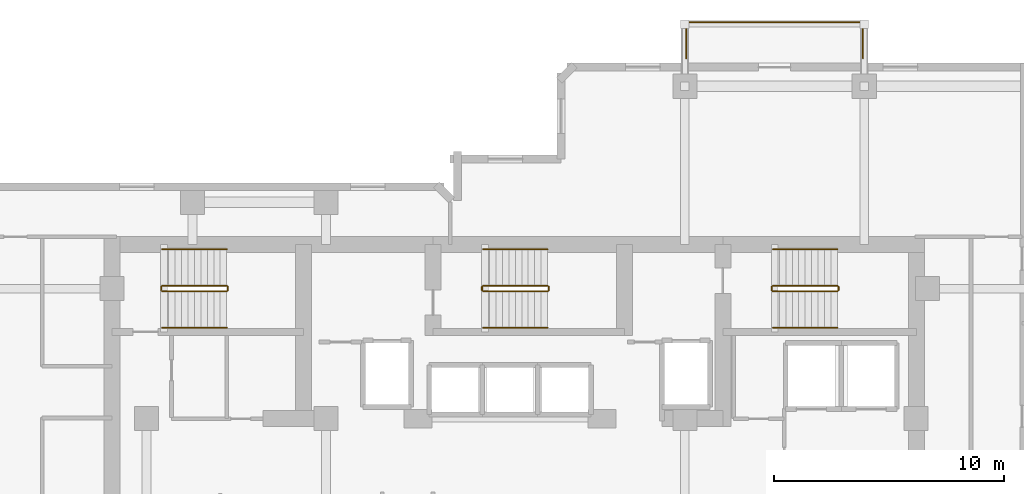
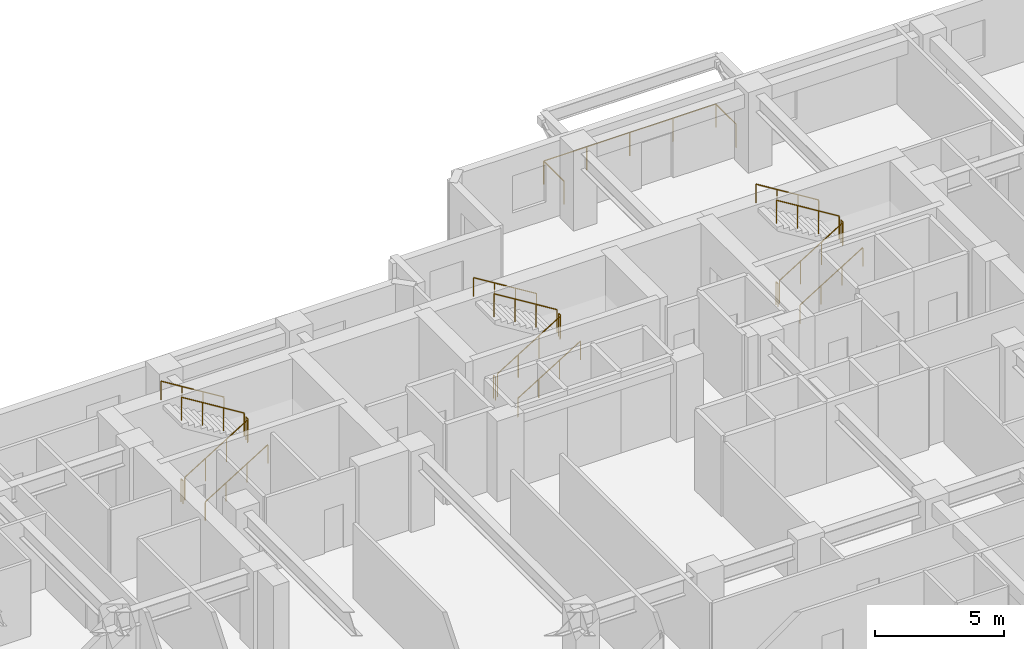
# One storey, part 10 of 10: 19 railings.
"""IFC4 building model written with IfcOpenShell, lengths in metres."""

from ifc_helpers import new_model, si_unit, direction, frame, origin, origin_2d, place, context, subcontext, project, spatial, circle, extrude, material, type_object, element, save


model = new_model("IFC4")

# Units and contexts
model_context = context("Model", 3, precision=1e-05, world=origin(), true_north=direction((0.0, 1.0)))
body_context = subcontext(model_context, "Body", "Model", "MODEL_VIEW")
ifc_project = project(units=[si_unit("LENGTHUNIT", "METRE"), si_unit("AREAUNIT", "SQUARE_METRE"), si_unit("VOLUMEUNIT", "CUBIC_METRE"), si_unit("PLANEANGLEUNIT", "RADIAN"), si_unit("MASSUNIT", "GRAM", prefix="KILO")], contexts=[model_context])

# Site, building, storey
site_placement = place(None, origin())
site = spatial("IfcSite", under=ifc_project, at=site_placement, CompositionType="ELEMENT")
building_placement = place(site_placement, origin())
building = spatial("IfcBuilding", under=site, at=building_placement, Name="Kestravale Grand Hotel", CompositionType="ELEMENT")
storey_placement = place(building_placement, frame((0.0, 0.0, 149.800048828125)))
storey = spatial("IfcBuildingStorey", under=building, at=storey_placement, Name="L37", CompositionType="ELEMENT", Elevation=149.800048828125)

# Railings
ifc_material_1 = material(Name="Champagne-bronze stainless steel and laminated glass guard", Category="steel")
railing_type_1 = type_object("IfcRailingType", Name="RL-EXT-1100", PredefinedType="GUARDRAIL", material=ifc_material_1)
railing_1_placement = place(storey_placement, frame((46.860107421875, 48.419921875, 0.0)))
element("IfcRailing", 1, at=railing_1_placement, inside=storey, type_object=railing_type_1, Name="L37 outdoor terrace guard 1", PredefinedType="GUARDRAIL", context=body_context, shape_type="SweptSolid", body=[
    extrude(circle(Radius=0.02392578125, at=origin_2d()), frame((0.0, 0.0, 1.09619140625), z_axis=(0.0, 1.0, 0.0), x_axis=(-1.0, 0.0, 0.0)), (0.0, 0.0, 1.0), 1.570068359375),
    extrude(circle(Radius=0.02392578125, at=origin_2d()), frame((0.0, 1.570068359375, 1.09619140625), z_axis=(1.0, 0.0, 0.0), x_axis=(0.0, 1.0, 0.0)), (0.0, 0.0, 1.0), 7.679931640625),
    extrude(circle(Radius=0.02392578125, at=origin_2d()), frame((7.679931640625, 1.570068359375, 1.09619140625), z_axis=(0.0, -1.0, 0.0), x_axis=(1.0, 0.0, 0.0)), (0.0, 0.0, 1.0), 1.570068359375),
    extrude(circle(Radius=0.02099609375, at=origin_2d()), origin(), (0.0, 0.0, 1.0), 1.072021484375),
    extrude(circle(Radius=0.02099609375, at=origin_2d()), frame((0.0, 1.570068359375, 0.0)), (0.0, 0.0, 1.0), 1.072021484375),
    extrude(circle(Radius=0.02099609375, at=origin_2d()), frame((1.919921875, 1.570068359375, 0.0)), (0.0, 0.0, 1.0), 1.072021484375),
    extrude(circle(Radius=0.02099609375, at=origin_2d()), frame((3.83984375, 1.570068359375, 0.0)), (0.0, 0.0, 1.0), 1.072021484375),
    extrude(circle(Radius=0.02099609375, at=origin_2d()), frame((5.760009765625, 1.570068359375, 0.0)), (0.0, 0.0, 1.0), 1.072021484375),
    extrude(circle(Radius=0.02099609375, at=origin_2d()), frame((7.679931640625, 1.570068359375, 0.0)), (0.0, 0.0, 1.0), 1.072021484375),
    extrude(circle(Radius=0.02099609375, at=origin_2d()), frame((7.679931640625, 0.0, 0.0)), (0.0, 0.0, 1.0), 1.072021484375),
])
ifc_material_2 = material(Name="Painted tubular steel stair well guard", Category="steel")
railing_type_2 = type_object("IfcRailingType", Name="RL-ST-GRD1100", PredefinedType="GUARDRAIL", material=ifc_material_2)
railing_2_placement = place(storey_placement, frame((24.080078125, 38.280029296875, 0.172607421875)))
element("IfcRailing", 2, at=railing_2_placement, inside=storey, type_object=railing_type_2, Name="L37 ST-1 stair guard 1", PredefinedType="GUARDRAIL", context=body_context, shape_type="SweptSolid", body=[
    extrude(circle(Radius=0.02392578125, at=origin_2d()), frame((0.0, 0.0, 1.076171875), z_axis=(0.851069175582, 0.0, 0.525053576669), x_axis=(0.0, 1.0, 0.0)), (0.0, 0.0, 1.0), 3.289794921875),
    extrude(circle(Radius=0.02099609375, at=origin_2d()), origin(), (0.0, 0.0, 1.0), 1.052001953125),
    extrude(circle(Radius=0.02099609375, at=origin_2d()), frame((0.933349609375, 0.0, 0.57568359375)), (0.0, 0.0, 1.0), 1.052001953125),
    extrude(circle(Radius=0.02099609375, at=origin_2d()), frame((1.866455078125, 0.0, 1.151611328125)), (0.0, 0.0, 1.0), 1.052001953125),
    extrude(circle(Radius=0.02099609375, at=origin_2d()), frame((2.7998046875, 0.0, 1.727294921875)), (0.0, 0.0, 1.0), 1.052001953125),
])
railing_3_placement = place(storey_placement, frame((26.929931640625, 38.330078125, 1.89990234375)))
element("IfcRailing", 3, at=railing_3_placement, inside=storey, type_object=railing_type_2, Name="L37 ST-1 stair guard 2", PredefinedType="GUARDRAIL", context=body_context, shape_type="SweptSolid", body=[
    extrude(circle(Radius=0.02392578125, at=origin_2d()), frame((0.0, 0.0, 1.076171875), z_axis=(0.0, 1.0, 0.0), x_axis=(-1.0, 0.0, 0.0)), (0.0, 0.0, 1.0), 0.14990234375),
    extrude(circle(Radius=0.02099609375, at=origin_2d()), origin(), (0.0, 0.0, 1.0), 1.052001953125),
    extrude(circle(Radius=0.02099609375, at=origin_2d()), frame((0.0, 0.14990234375, 0.0)), (0.0, 0.0, 1.0), 1.052001953125),
])
railing_4_placement = place(storey_placement, frame((26.8798828125, 38.530029296875, 2.07275390625)))
element("IfcRailing", 4, at=railing_4_placement, inside=storey, type_object=railing_type_2, Name="L37 ST-1 stair guard 3", PredefinedType="GUARDRAIL", context=body_context, shape_type="SweptSolid", body=[
    extrude(circle(Radius=0.02392578125, at=origin_2d()), frame((0.0, 0.0, 1.076171875), z_axis=(-0.851069175582, 0.0, 0.525053576669), x_axis=(0.0, -1.0, 0.0)), (0.0, 0.0, 1.0), 3.289794921875),
    extrude(circle(Radius=0.02099609375, at=origin_2d()), origin(), (0.0, 0.0, 1.0), 1.052001953125),
    extrude(circle(Radius=0.02099609375, at=origin_2d()), frame((-0.933349609375, 0.0, 0.57568359375)), (0.0, 0.0, 1.0), 1.052001953125),
    extrude(circle(Radius=0.02099609375, at=origin_2d()), frame((-1.866455078125, 0.0, 1.151611328125)), (0.0, 0.0, 1.0), 1.052001953125),
    extrude(circle(Radius=0.02099609375, at=origin_2d()), frame((-2.7998046875, 0.0, 1.727294921875)), (0.0, 0.0, 1.0), 1.052001953125),
])
railing_5_placement = place(storey_placement, frame((24.030029296875, 38.330078125, 0.0)))
element("IfcRailing", 5, at=railing_5_placement, inside=storey, type_object=railing_type_2, Name="L37 ST-1 stair guard 4", PredefinedType="GUARDRAIL", context=body_context, shape_type="SweptSolid", body=[
    extrude(circle(Radius=0.02392578125, at=origin_2d()), frame((0.0, 0.0, 1.076171875), z_axis=(0.0, 1.0, 0.0), x_axis=(-1.0, 0.0, 0.0)), (0.0, 0.0, 1.0), 0.14990234375),
    extrude(circle(Radius=0.02099609375, at=origin_2d()), origin(), (0.0, 0.0, 1.0), 1.052001953125),
    extrude(circle(Radius=0.02099609375, at=origin_2d()), frame((0.0, 0.14990234375, 0.0)), (0.0, 0.0, 1.0), 1.052001953125),
])
railing_6_placement = place(storey_placement, frame((38.030029296875, 38.280029296875, 0.172607421875)))
element("IfcRailing", 6, at=railing_6_placement, inside=storey, type_object=railing_type_2, Name="L37 ST-2 stair guard 1", PredefinedType="GUARDRAIL", context=body_context, shape_type="SweptSolid", body=[
    extrude(circle(Radius=0.02392578125, at=origin_2d()), frame((0.0, 0.0, 1.076171875), z_axis=(0.851089632645, 0.0, 0.525020415988), x_axis=(0.0, 1.0, 0.0)), (0.0, 0.0, 1.0), 3.2900390625),
    extrude(circle(Radius=0.02099609375, at=origin_2d()), origin(), (0.0, 0.0, 1.0), 1.052001953125),
    extrude(circle(Radius=0.02099609375, at=origin_2d()), frame((0.933349609375, 0.0, 0.57568359375)), (0.0, 0.0, 1.0), 1.052001953125),
    extrude(circle(Radius=0.02099609375, at=origin_2d()), frame((1.86669921875, 0.0, 1.151611328125)), (0.0, 0.0, 1.0), 1.052001953125),
    extrude(circle(Radius=0.02099609375, at=origin_2d()), frame((2.800048828125, 0.0, 1.727294921875)), (0.0, 0.0, 1.0), 1.052001953125),
])
railing_7_placement = place(storey_placement, frame((40.8798828125, 38.330078125, 1.89990234375)))
element("IfcRailing", 7, at=railing_7_placement, inside=storey, type_object=railing_type_2, Name="L37 ST-2 stair guard 2", PredefinedType="GUARDRAIL", context=body_context, shape_type="SweptSolid", body=[
    extrude(circle(Radius=0.02392578125, at=origin_2d()), frame((0.0, 0.0, 1.076171875), z_axis=(0.0, 1.0, 0.0), x_axis=(-1.0, 0.0, 0.0)), (0.0, 0.0, 1.0), 0.14990234375),
    extrude(circle(Radius=0.02099609375, at=origin_2d()), origin(), (0.0, 0.0, 1.0), 1.052001953125),
    extrude(circle(Radius=0.02099609375, at=origin_2d()), frame((0.0, 0.14990234375, 0.0)), (0.0, 0.0, 1.0), 1.052001953125),
])
railing_8_placement = place(storey_placement, frame((40.830078125, 38.530029296875, 2.07275390625)))
element("IfcRailing", 8, at=railing_8_placement, inside=storey, type_object=railing_type_2, Name="L37 ST-2 stair guard 3", PredefinedType="GUARDRAIL", context=body_context, shape_type="SweptSolid", body=[
    extrude(circle(Radius=0.02392578125, at=origin_2d()), frame((0.0, 0.0, 1.076171875), z_axis=(-0.851089632645, 0.0, 0.525020415988), x_axis=(0.0, -1.0, 0.0)), (0.0, 0.0, 1.0), 3.2900390625),
    extrude(circle(Radius=0.02099609375, at=origin_2d()), origin(), (0.0, 0.0, 1.0), 1.052001953125),
    extrude(circle(Radius=0.02099609375, at=origin_2d()), frame((-0.933349609375, 0.0, 0.57568359375)), (0.0, 0.0, 1.0), 1.052001953125),
    extrude(circle(Radius=0.02099609375, at=origin_2d()), frame((-1.86669921875, 0.0, 1.151611328125)), (0.0, 0.0, 1.0), 1.052001953125),
    extrude(circle(Radius=0.02099609375, at=origin_2d()), frame((-2.800048828125, 0.0, 1.727294921875)), (0.0, 0.0, 1.0), 1.052001953125),
])
railing_9_placement = place(storey_placement, frame((37.97998046875, 38.330078125, 0.0)))
element("IfcRailing", 9, at=railing_9_placement, inside=storey, type_object=railing_type_2, Name="L37 ST-2 stair guard 4", PredefinedType="GUARDRAIL", context=body_context, shape_type="SweptSolid", body=[
    extrude(circle(Radius=0.02392578125, at=origin_2d()), frame((0.0, 0.0, 1.076171875), z_axis=(0.0, 1.0, 0.0), x_axis=(-1.0, 0.0, 0.0)), (0.0, 0.0, 1.0), 0.14990234375),
    extrude(circle(Radius=0.02099609375, at=origin_2d()), origin(), (0.0, 0.0, 1.0), 1.052001953125),
    extrude(circle(Radius=0.02099609375, at=origin_2d()), frame((0.0, 0.14990234375, 0.0)), (0.0, 0.0, 1.0), 1.052001953125),
])
railing_10_placement = place(storey_placement, frame((50.6298828125, 38.280029296875, 0.172607421875)))
element("IfcRailing", 10, at=railing_10_placement, inside=storey, type_object=railing_type_2, Name="L37 ST-3 stair guard 1", PredefinedType="GUARDRAIL", context=body_context, shape_type="SweptSolid", body=[
    extrude(circle(Radius=0.02392578125, at=origin_2d()), frame((0.0, 0.0, 1.076171875), z_axis=(0.851089632645, 0.0, 0.525020415988), x_axis=(0.0, 1.0, 0.0)), (0.0, 0.0, 1.0), 3.2900390625),
    extrude(circle(Radius=0.02099609375, at=origin_2d()), origin(), (0.0, 0.0, 1.0), 1.052001953125),
    extrude(circle(Radius=0.02099609375, at=origin_2d()), frame((0.933349609375, 0.0, 0.57568359375)), (0.0, 0.0, 1.0), 1.052001953125),
    extrude(circle(Radius=0.02099609375, at=origin_2d()), frame((1.86669921875, 0.0, 1.151611328125)), (0.0, 0.0, 1.0), 1.052001953125),
    extrude(circle(Radius=0.02099609375, at=origin_2d()), frame((2.800048828125, 0.0, 1.727294921875)), (0.0, 0.0, 1.0), 1.052001953125),
])
railing_11_placement = place(storey_placement, frame((53.47998046875, 38.330078125, 1.89990234375)))
element("IfcRailing", 11, at=railing_11_placement, inside=storey, type_object=railing_type_2, Name="L37 ST-3 stair guard 2", PredefinedType="GUARDRAIL", context=body_context, shape_type="SweptSolid", body=[
    extrude(circle(Radius=0.02392578125, at=origin_2d()), frame((0.0, 0.0, 1.076171875), z_axis=(0.0, 1.0, 0.0), x_axis=(-1.0, 0.0, 0.0)), (0.0, 0.0, 1.0), 0.14990234375),
    extrude(circle(Radius=0.02099609375, at=origin_2d()), origin(), (0.0, 0.0, 1.0), 1.052001953125),
    extrude(circle(Radius=0.02099609375, at=origin_2d()), frame((0.0, 0.14990234375, 0.0)), (0.0, 0.0, 1.0), 1.052001953125),
])
railing_12_placement = place(storey_placement, frame((53.429931640625, 38.530029296875, 2.07275390625)))
element("IfcRailing", 12, at=railing_12_placement, inside=storey, type_object=railing_type_2, Name="L37 ST-3 stair guard 3", PredefinedType="GUARDRAIL", context=body_context, shape_type="SweptSolid", body=[
    extrude(circle(Radius=0.02392578125, at=origin_2d()), frame((0.0, 0.0, 1.076171875), z_axis=(-0.851089632645, 0.0, 0.525020415988), x_axis=(0.0, -1.0, 0.0)), (0.0, 0.0, 1.0), 3.2900390625),
    extrude(circle(Radius=0.02099609375, at=origin_2d()), origin(), (0.0, 0.0, 1.0), 1.052001953125),
    extrude(circle(Radius=0.02099609375, at=origin_2d()), frame((-0.933349609375, 0.0, 0.57568359375)), (0.0, 0.0, 1.0), 1.052001953125),
    extrude(circle(Radius=0.02099609375, at=origin_2d()), frame((-1.86669921875, 0.0, 1.151611328125)), (0.0, 0.0, 1.0), 1.052001953125),
    extrude(circle(Radius=0.02099609375, at=origin_2d()), frame((-2.800048828125, 0.0, 1.727294921875)), (0.0, 0.0, 1.0), 1.052001953125),
])
railing_13_placement = place(storey_placement, frame((50.580078125, 38.330078125, 0.0)))
element("IfcRailing", 13, at=railing_13_placement, inside=storey, type_object=railing_type_2, Name="L37 ST-3 stair guard 4", PredefinedType="GUARDRAIL", context=body_context, shape_type="SweptSolid", body=[
    extrude(circle(Radius=0.02392578125, at=origin_2d()), frame((0.0, 0.0, 1.076171875), z_axis=(0.0, 1.0, 0.0), x_axis=(-1.0, 0.0, 0.0)), (0.0, 0.0, 1.0), 0.14990234375),
    extrude(circle(Radius=0.02099609375, at=origin_2d()), origin(), (0.0, 0.0, 1.0), 1.052001953125),
    extrude(circle(Radius=0.02099609375, at=origin_2d()), frame((0.0, 0.14990234375, 0.0)), (0.0, 0.0, 1.0), 1.052001953125),
])
ifc_material_3 = material(Name="Brushed stainless steel wall handrail", Category="steel")
railing_type_3 = type_object("IfcRailingType", Name="RL-ST-HND900", PredefinedType="HANDRAIL", material=ifc_material_3)
railing_14_placement = place(storey_placement, frame((24.080078125, 36.699951171875, 0.172607421875)))
element("IfcRailing", 14, at=railing_14_placement, inside=storey, type_object=railing_type_3, Name="L37 ST-1 stair handrail 1", PredefinedType="HANDRAIL", context=body_context, shape_type="SweptSolid", body=[
    extrude(circle(Radius=0.02392578125, at=origin_2d()), frame((0.0, 0.0, 0.8759765625), z_axis=(0.851069175582, 0.0, 0.525053576669), x_axis=(0.0, 1.0, 0.0)), (0.0, 0.0, 1.0), 3.289794921875),
    extrude(circle(Radius=0.02099609375, at=origin_2d()), origin(), (0.0, 0.0, 1.0), 0.851806640625),
    extrude(circle(Radius=0.02099609375, at=origin_2d()), frame((0.933349609375, 0.0, 0.57568359375)), (0.0, 0.0, 1.0), 0.851806640625),
    extrude(circle(Radius=0.02099609375, at=origin_2d()), frame((1.866455078125, 0.0, 1.151611328125)), (0.0, 0.0, 1.0), 0.851806640625),
    extrude(circle(Radius=0.02099609375, at=origin_2d()), frame((2.7998046875, 0.0, 1.727294921875)), (0.0, 0.0, 1.0), 0.851806640625),
])
railing_15_placement = place(storey_placement, frame((26.8798828125, 40.110107421875, 2.07275390625)))
element("IfcRailing", 15, at=railing_15_placement, inside=storey, type_object=railing_type_3, Name="L37 ST-1 stair handrail 2", PredefinedType="HANDRAIL", context=body_context, shape_type="SweptSolid", body=[
    extrude(circle(Radius=0.02392578125, at=origin_2d()), frame((0.0, 0.0, 0.8759765625), z_axis=(-0.851069175582, 0.0, 0.525053576669), x_axis=(0.0, -1.0, 0.0)), (0.0, 0.0, 1.0), 3.289794921875),
    extrude(circle(Radius=0.02099609375, at=origin_2d()), origin(), (0.0, 0.0, 1.0), 0.851806640625),
    extrude(circle(Radius=0.02099609375, at=origin_2d()), frame((-0.933349609375, 0.0, 0.57568359375)), (0.0, 0.0, 1.0), 0.851806640625),
    extrude(circle(Radius=0.02099609375, at=origin_2d()), frame((-1.866455078125, 0.0, 1.151611328125)), (0.0, 0.0, 1.0), 0.851806640625),
    extrude(circle(Radius=0.02099609375, at=origin_2d()), frame((-2.7998046875, 0.0, 1.727294921875)), (0.0, 0.0, 1.0), 0.851806640625),
])
railing_16_placement = place(storey_placement, frame((38.030029296875, 36.699951171875, 0.172607421875)))
element("IfcRailing", 16, at=railing_16_placement, inside=storey, type_object=railing_type_3, Name="L37 ST-2 stair handrail 1", PredefinedType="HANDRAIL", context=body_context, shape_type="SweptSolid", body=[
    extrude(circle(Radius=0.02392578125, at=origin_2d()), frame((0.0, 0.0, 0.8759765625), z_axis=(0.851089632645, 0.0, 0.525020415988), x_axis=(0.0, 1.0, 0.0)), (0.0, 0.0, 1.0), 3.2900390625),
    extrude(circle(Radius=0.02099609375, at=origin_2d()), origin(), (0.0, 0.0, 1.0), 0.851806640625),
    extrude(circle(Radius=0.02099609375, at=origin_2d()), frame((0.933349609375, 0.0, 0.57568359375)), (0.0, 0.0, 1.0), 0.851806640625),
    extrude(circle(Radius=0.02099609375, at=origin_2d()), frame((1.86669921875, 0.0, 1.151611328125)), (0.0, 0.0, 1.0), 0.851806640625),
    extrude(circle(Radius=0.02099609375, at=origin_2d()), frame((2.800048828125, 0.0, 1.727294921875)), (0.0, 0.0, 1.0), 0.851806640625),
])
railing_17_placement = place(storey_placement, frame((40.830078125, 40.110107421875, 2.07275390625)))
element("IfcRailing", 17, at=railing_17_placement, inside=storey, type_object=railing_type_3, Name="L37 ST-2 stair handrail 2", PredefinedType="HANDRAIL", context=body_context, shape_type="SweptSolid", body=[
    extrude(circle(Radius=0.02392578125, at=origin_2d()), frame((0.0, 0.0, 0.8759765625), z_axis=(-0.851089632645, 0.0, 0.525020415988), x_axis=(0.0, -1.0, 0.0)), (0.0, 0.0, 1.0), 3.2900390625),
    extrude(circle(Radius=0.02099609375, at=origin_2d()), origin(), (0.0, 0.0, 1.0), 0.851806640625),
    extrude(circle(Radius=0.02099609375, at=origin_2d()), frame((-0.933349609375, 0.0, 0.57568359375)), (0.0, 0.0, 1.0), 0.851806640625),
    extrude(circle(Radius=0.02099609375, at=origin_2d()), frame((-1.86669921875, 0.0, 1.151611328125)), (0.0, 0.0, 1.0), 0.851806640625),
    extrude(circle(Radius=0.02099609375, at=origin_2d()), frame((-2.800048828125, 0.0, 1.727294921875)), (0.0, 0.0, 1.0), 0.851806640625),
])
railing_18_placement = place(storey_placement, frame((50.6298828125, 36.699951171875, 0.172607421875)))
element("IfcRailing", 18, at=railing_18_placement, inside=storey, type_object=railing_type_3, Name="L37 ST-3 stair handrail 1", PredefinedType="HANDRAIL", context=body_context, shape_type="SweptSolid", body=[
    extrude(circle(Radius=0.02392578125, at=origin_2d()), frame((0.0, 0.0, 0.8759765625), z_axis=(0.851089632645, 0.0, 0.525020415988), x_axis=(0.0, 1.0, 0.0)), (0.0, 0.0, 1.0), 3.2900390625),
    extrude(circle(Radius=0.02099609375, at=origin_2d()), origin(), (0.0, 0.0, 1.0), 0.851806640625),
    extrude(circle(Radius=0.02099609375, at=origin_2d()), frame((0.933349609375, 0.0, 0.57568359375)), (0.0, 0.0, 1.0), 0.851806640625),
    extrude(circle(Radius=0.02099609375, at=origin_2d()), frame((1.86669921875, 0.0, 1.151611328125)), (0.0, 0.0, 1.0), 0.851806640625),
    extrude(circle(Radius=0.02099609375, at=origin_2d()), frame((2.800048828125, 0.0, 1.727294921875)), (0.0, 0.0, 1.0), 0.851806640625),
])
railing_19_placement = place(storey_placement, frame((53.429931640625, 40.110107421875, 2.07275390625)))
element("IfcRailing", 19, at=railing_19_placement, inside=storey, type_object=railing_type_3, Name="L37 ST-3 stair handrail 2", PredefinedType="HANDRAIL", context=body_context, shape_type="SweptSolid", body=[
    extrude(circle(Radius=0.02392578125, at=origin_2d()), frame((0.0, 0.0, 0.8759765625), z_axis=(-0.851089632645, 0.0, 0.525020415988), x_axis=(0.0, -1.0, 0.0)), (0.0, 0.0, 1.0), 3.2900390625),
    extrude(circle(Radius=0.02099609375, at=origin_2d()), origin(), (0.0, 0.0, 1.0), 0.851806640625),
    extrude(circle(Radius=0.02099609375, at=origin_2d()), frame((-0.933349609375, 0.0, 0.57568359375)), (0.0, 0.0, 1.0), 0.851806640625),
    extrude(circle(Radius=0.02099609375, at=origin_2d()), frame((-1.86669921875, 0.0, 1.151611328125)), (0.0, 0.0, 1.0), 0.851806640625),
    extrude(circle(Radius=0.02099609375, at=origin_2d()), frame((-2.800048828125, 0.0, 1.727294921875)), (0.0, 0.0, 1.0), 0.851806640625),
])

save(model, "model.ifc")
